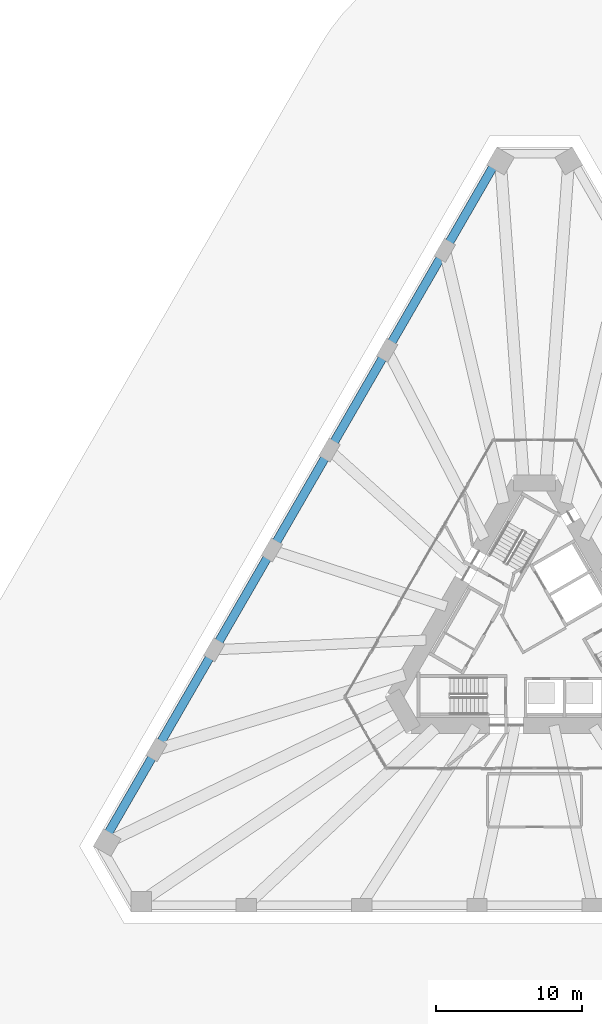
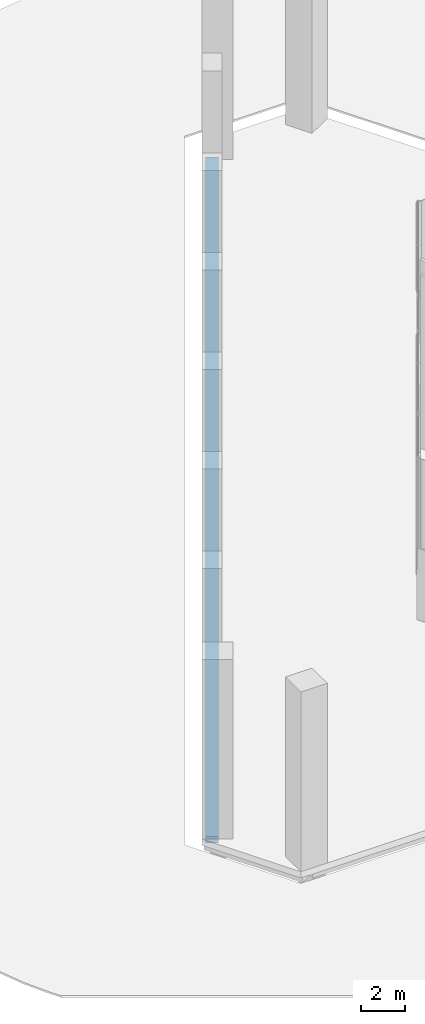
# One storey, part 3 of 13: 1 beam.
"""IFC4 building model written with IfcOpenShell, lengths in metres."""

from ifc_helpers import new_model, si_unit, direction, frame, origin, origin_2d, place, context, subcontext, project, spatial, rectangle, extrude, material, material_profile, profile_set, type_object, element, save


model = new_model("IFC4")

# Units and contexts
model_context = context("Model", 3, precision=1e-05, world=origin(), true_north=direction((0.0, 1.0)))
body_context = subcontext(model_context, "Body", "Model", "MODEL_VIEW")
ifc_project = project(units=[si_unit("LENGTHUNIT", "METRE"), si_unit("AREAUNIT", "SQUARE_METRE"), si_unit("VOLUMEUNIT", "CUBIC_METRE"), si_unit("PLANEANGLEUNIT", "RADIAN"), si_unit("MASSUNIT", "GRAM", prefix="KILO")], contexts=[model_context])

# Site, building, storey
site_placement = place(None, origin())
site = spatial("IfcSite", under=ifc_project, at=site_placement, CompositionType="ELEMENT")
building_placement = place(site_placement, origin())
building = spatial("IfcBuilding", under=site, at=building_placement, Name="Tramontana Tower", CompositionType="ELEMENT")
storey_placement = place(building_placement, origin())
storey = spatial("IfcBuildingStorey", under=building, at=storey_placement, Name="L00", CompositionType="ELEMENT", Elevation=0.0)

# Beam
ifc_material = material(Name="Concrete 40 MPa", Category="concrete")
ifc_material_profile = material_profile(ifc_material, rectangle(XDim=0.60009765625, YDim=0.35009765625, at=origin_2d()), Name="RC EDGE BEAM 600X350 40 MPa")
ifc_profile_set = profile_set([ifc_material_profile], Name="Concrete 40 MPa")
beam_type = type_object("IfcBeamType", Name="RC EDGE BEAM 600X350 40 MPa", PredefinedType="SPANDREL", material=ifc_profile_set)
beam_placement = place(storey_placement, frame((-2.558349609375, 32.668701171875, -0.52490234375), z_axis=(-0.500001490283, -0.866024543367, 0.0), x_axis=(0.866024543367, -0.500001490283, 0.0)))
element("IfcBeam", 1, at=beam_placement, inside=storey, type_object=beam_type, Name="Spandrel beam S0 L00", PredefinedType="SPANDREL", context=body_context, shape_type="SweptSolid", body=[
    extrude(rectangle(XDim=0.60009765625, YDim=0.35009765625, at=origin_2d()), origin(), (0.0, 0.0, 1.0), 54.025634765625),
])

save(model, "model.ifc")
